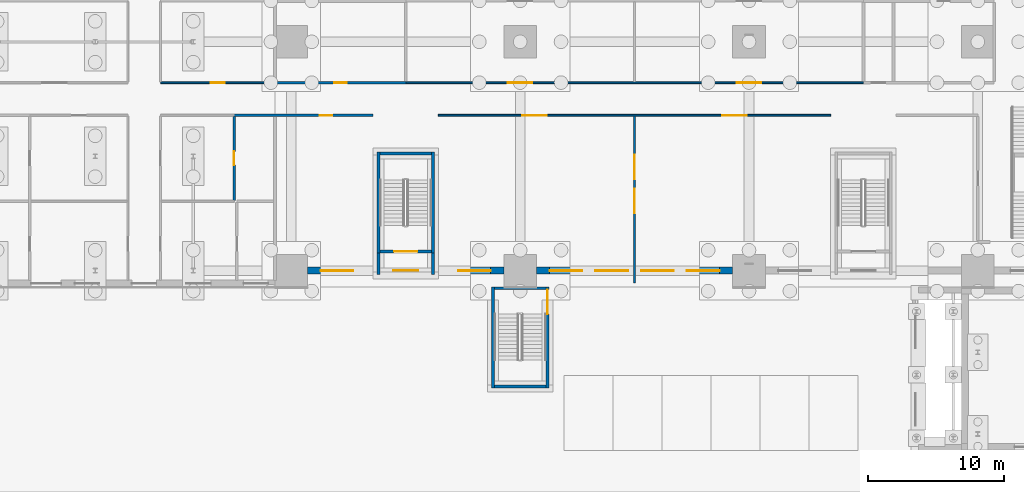
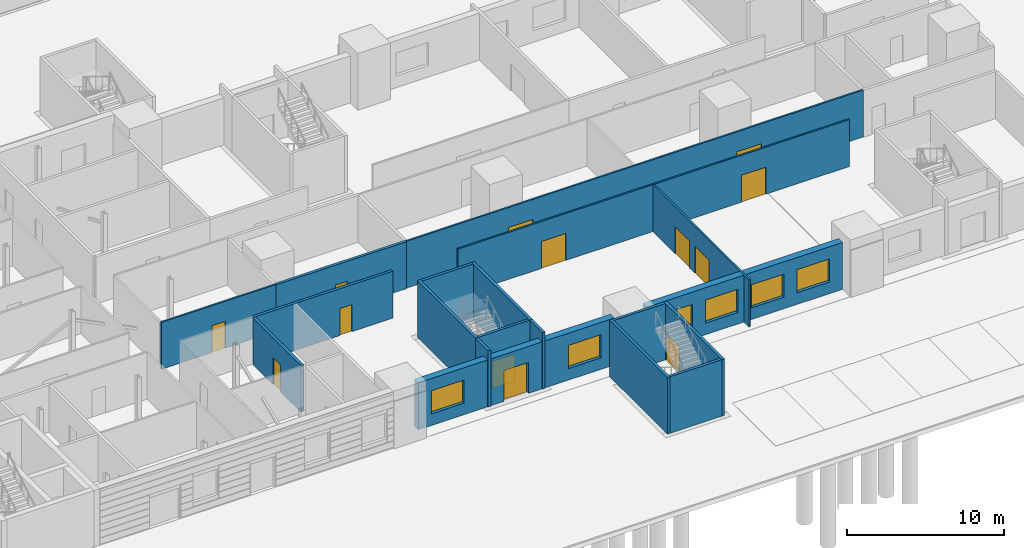
# One storey, part 78 of 139: 19 walls, 13 doors, 6 windows, 19 openings.
"""IFC4 building model written with IfcOpenShell, lengths in metres."""

from ifc_helpers import new_model, si_unit, direction, frame, frame_2d, origin, place, context, subcontext, project, spatial, rectangle, extrude, material, layer, layer_set, type_object, element, fill, save


model = new_model("IFC4")

# Units and contexts
model_context = context("Model", 3, precision=1e-05, world=origin(), true_north=direction((0.0, 1.0)))
body_context = subcontext(model_context, "Body", "Model", "MODEL_VIEW")
ifc_project = project(units=[si_unit("LENGTHUNIT", "METRE"), si_unit("AREAUNIT", "SQUARE_METRE"), si_unit("VOLUMEUNIT", "CUBIC_METRE"), si_unit("PLANEANGLEUNIT", "RADIAN"), si_unit("MASSUNIT", "GRAM", prefix="KILO")], contexts=[model_context])

# Site, building, storey
site_placement = place(None, origin())
site = spatial("IfcSite", under=ifc_project, at=site_placement, CompositionType="ELEMENT")
building_placement = place(site_placement, origin())
building = spatial("IfcBuilding", under=site, at=building_placement, Name="Verrick Yard Athletic Hall", CompositionType="ELEMENT")
storey_placement = place(building_placement, origin())
storey = spatial("IfcBuildingStorey", under=building, at=storey_placement, Name="L00", CompositionType="ELEMENT", Elevation=0.0)

# Walls
ifc_material_1 = material(Name="Concrete 35 MPa", Category="concrete")
ifc_layer_1 = layer(ifc_material_1, 0.199951171875)
ifc_layer_set_1 = layer_set([ifc_layer_1], Name="Enclosure wall CR200")
wall_type_1 = type_object("IfcWallType", Name="Enclosure wall CR200", PredefinedType="SOLIDWALL", material=ifc_layer_set_1)
for number, where, z_axis, x_axis, name in (
    (1, (46.39990234375, 20.5, 0.0), (0.0, 0.0, 1.0), (0.0, 1.0, 0.0), "CORE-PS-S1-WW-L00"),
    (2, (50.39990234375, 20.5, 0.0), (0.0, 0.0, 1.0), (0.0, 1.0, 0.0), "CORE-PS-S1-WE-L00"),
):
    element("IfcWall", number, at=place(storey_placement, frame(where, z_axis=z_axis, x_axis=x_axis)), inside=storey, type_object=wall_type_1, Name=name, PredefinedType="SOLIDWALL", context=body_context, shape_type="SweptSolid", body=[
        extrude(rectangle(XDim=7.39990234375, YDim=0.199951171875, at=frame_2d((3.699951171875, 0.0))), origin(), (0.0, 0.0, 1.0), 4.39990234375),
    ])

# Wall, opening, door
wall_1_placement = place(storey_placement, frame((46.5, 20.60009765625, 0.0), z_axis=(0.0, 0.0, 1.0), x_axis=(1.0, 0.0, 0.0)))
wall_1 = element("IfcWall", 3, at=wall_1_placement, inside=storey, type_object=wall_type_1, Name="CORE-PS-S1-WS-L00", PredefinedType="SOLIDWALL", context=body_context, shape_type="SweptSolid", body=[
    extrude(rectangle(XDim=3.800048828125, YDim=0.199951171875, at=frame_2d((1.89990234375, 0.0))), origin(), (0.0, 0.0, 1.0), 4.39990234375),
])
opening_1_placement = place(wall_1_placement, frame((1.050048828125, 0.0, 0.0)))
opening_1 = element("IfcOpeningElement", 4, at=opening_1_placement, cuts=wall_1, Name="Opening SD2", PredefinedType="OPENING", context=body_context, shape_type="SweptSolid", body=[
    extrude(rectangle(XDim=1.699951171875, YDim=2.10009765625, at=frame_2d((0.85009765625, 1.050048828125))), frame((0.0, 0.10986328125, 0.0), z_axis=(0.0, -1.0, 0.0), x_axis=(1.0, 0.0, 0.0)), (0.0, 0.0, 1.0), 0.219970703125),
])
ifc_material_2 = material(Name="Hollow metal door leaf")
door_type_1 = type_object("IfcDoorType", Name="Core door SD2 1700x2100", OperationType="NOTDEFINED", PredefinedType="DOOR", material=ifc_material_2)
door_1_placement = place(opening_1_placement, origin())
door_1 = element("IfcDoor", 5, at=door_1_placement, inside=storey, type_object=door_type_1, Name="CORE-PS-S1-WS-L00-DSD2-4840", OperationType="DOUBLE_DOOR_SINGLE_SWING", OverallHeight=2.10009765625, OverallWidth=1.699951171875, PredefinedType="DOOR", context=body_context, shape_type="SweptSolid", body=[
    extrude(rectangle(XDim=1.699951171875, YDim=2.10009765625, at=frame_2d((0.85009765625, 1.050048828125))), frame((0.0, 0.02490234375, 0.0), z_axis=(0.0, -1.0, 0.0), x_axis=(1.0, 0.0, 0.0)), (0.0, 0.0, 1.0), 0.050048828125),
])
fill(opening_1, door_1)

# Walls
wall_2_placement = place(storey_placement, frame((46.5, 27.800048828125, 0.0), z_axis=(0.0, 0.0, 1.0), x_axis=(1.0, 0.0, 0.0)))
element("IfcWall", 6, at=wall_2_placement, inside=storey, type_object=wall_type_1, Name="CORE-PS-S1-WN-L00", PredefinedType="SOLIDWALL", context=body_context, shape_type="SweptSolid", body=[
    extrude(rectangle(XDim=3.800048828125, YDim=0.199951171875, at=frame_2d((1.89990234375, 0.0))), origin(), (0.0, 0.0, 1.0), 4.39990234375),
])
for number, where, z_axis, x_axis, name in (
    (7, (46.39990234375, 18.89990234375, 0.0), (0.0, 0.0, 1.0), (0.0, 1.0, 0.0), "CORE-PS-S1-VWW"),
    (8, (50.39990234375, 18.89990234375, 0.0), (0.0, 0.0, 1.0), (0.0, 1.0, 0.0), "CORE-PS-S1-VWE"),
):
    element("IfcWall", number, at=place(storey_placement, frame(where, z_axis=z_axis, x_axis=x_axis)), inside=storey, type_object=wall_type_1, Name=name, PredefinedType="SOLIDWALL", context=body_context, shape_type="SweptSolid", body=[
        extrude(rectangle(XDim=1.60009765625, YDim=0.199951171875, at=frame_2d((0.800048828125, 0.0))), origin(), (0.0, 0.0, 1.0), 4.39990234375),
    ])
ifc_layer_2 = layer(ifc_material_1, 0.199951171875)
ifc_layer_set_2 = layer_set([ifc_layer_2], Name="External enclosure wall CR200")
wall_type_2 = type_object("IfcWallType", Name="External enclosure wall CR200", PredefinedType="SOLIDWALL", material=ifc_layer_set_2)
wall_3_placement = place(storey_placement, frame((54.800048828125, 10.60009765625, 0.0), z_axis=(0.0, 0.0, 1.0), x_axis=(0.0, 1.0, 0.0)))
element("IfcWall", 9, at=wall_3_placement, inside=storey, type_object=wall_type_2, Name="CORE-DT-S1-WW-L00", PredefinedType="SOLIDWALL", context=body_context, shape_type="SweptSolid", body=[
    extrude(rectangle(XDim=7.39990234375, YDim=0.199951171875, at=frame_2d((3.699951171875, 0.0))), origin(), (0.0, 0.0, 1.0), 4.39990234375),
])

# Wall, opening, door
wall_4_placement = place(storey_placement, frame((58.800048828125, 18.0, 0.0), z_axis=(0.0, 0.0, 1.0), x_axis=(0.0, -1.0, 0.0)))
wall_4 = element("IfcWall", 10, at=wall_4_placement, inside=storey, type_object=wall_type_2, Name="CORE-DT-S1-WE-L00", PredefinedType="SOLIDWALL", context=body_context, shape_type="SweptSolid", body=[
    extrude(rectangle(XDim=7.39990234375, YDim=0.199951171875, at=frame_2d((3.699951171875, 0.0))), origin(), (0.0, 0.0, 1.0), 4.39990234375),
])
opening_2_placement = place(wall_4_placement, frame((0.199951171875, 0.0, 0.0)))
opening_2 = element("IfcOpeningElement", 11, at=opening_2_placement, cuts=wall_4, Name="Opening XD2", PredefinedType="OPENING", context=body_context, shape_type="SweptSolid", body=[
    extrude(rectangle(XDim=1.800048828125, YDim=2.10009765625, at=frame_2d((0.89990234375, 1.050048828125))), frame((0.0, 0.10986328125, 0.0), z_axis=(0.0, -1.0, 0.0), x_axis=(1.0, 0.0, 0.0)), (0.0, 0.0, 1.0), 0.219970703125),
])
ifc_material_3 = material(Name="Aluminium door leaf", Category="aluminium")
door_type_2 = type_object("IfcDoorType", Name="Core door XD2 1800x2100", OperationType="NOTDEFINED", PredefinedType="DOOR", material=ifc_material_3)
door_2_placement = place(opening_2_placement, origin())
door_2 = element("IfcDoor", 12, at=door_2_placement, inside=storey, type_object=door_type_2, Name="CORE-DT-S1-WE-L00-DXD2-1690", OperationType="DOUBLE_DOOR_SINGLE_SWING", OverallHeight=2.10009765625, OverallWidth=1.800048828125, PredefinedType="DOOR", context=body_context, shape_type="SweptSolid", body=[
    extrude(rectangle(XDim=1.800048828125, YDim=2.10009765625, at=frame_2d((0.89990234375, 1.050048828125))), frame((0.0, 0.02490234375, 0.0), z_axis=(0.0, -1.0, 0.0), x_axis=(1.0, 0.0, 0.0)), (0.0, 0.0, 1.0), 0.050048828125),
])
fill(opening_2, door_2)

# Walls
for number, where, z_axis, x_axis, name in (
    (13, (54.89990234375, 10.699951171875, 0.0), (0.0, 0.0, 1.0), (1.0, 0.0, 0.0), "CORE-DT-S1-WS-L00"),
    (14, (54.89990234375, 17.89990234375, 0.0), (0.0, 0.0, 1.0), (1.0, 0.0, 0.0), "CORE-DT-S1-WN-L00"),
):
    element("IfcWall", number, at=place(storey_placement, frame(where, z_axis=z_axis, x_axis=x_axis)), inside=storey, type_object=wall_type_2, Name=name, PredefinedType="SOLIDWALL", context=body_context, shape_type="SweptSolid", body=[
        extrude(rectangle(XDim=3.800048828125, YDim=0.199951171875, at=frame_2d((1.89990234375, 0.0))), origin(), (0.0, 0.0, 1.0), 4.39990234375),
    ])

# Wall, opening, door
ifc_material_4 = material(Name="Concrete masonry block 15 MPa", Category="masonry")
ifc_layer_3 = layer(ifc_material_4, 0.199951171875)
ifc_layer_set_3 = layer_set([ifc_layer_3], Name="PW1 Block partition 200")
wall_type_3 = type_object("IfcWallType", Name="PW1 Block partition 200", PredefinedType="PARTITIONING", material=ifc_layer_set_3)
wall_5_placement = place(storey_placement, frame((35.800048828125, 30.60009765625, 0.0), z_axis=(0.0, 0.0, 1.0), x_axis=(1.0, 0.0, 0.0)))
wall_5 = element("IfcWall", 15, at=wall_5_placement, inside=storey, type_object=wall_type_3, Name="Partition PW1", PredefinedType="PARTITIONING", context=body_context, shape_type="SweptSolid", body=[
    extrude(rectangle(XDim=10.199951171875, YDim=0.199951171875, at=frame_2d((5.10009765625, 0.0))), origin(), (0.0, 0.0, 1.0), 3.64990234375),
])
opening_3_placement = place(wall_5_placement, frame((6.300048828125, 0.0, 0.0)))
opening_3 = element("IfcOpeningElement", 16, at=opening_3_placement, cuts=wall_5, Name="Opening D2", PredefinedType="OPENING", context=body_context, shape_type="SweptSolid", body=[
    extrude(rectangle(XDim=0.89990234375, YDim=2.10009765625, at=frame_2d((0.449951171875, 1.050048828125))), frame((0.0, 0.10986328125, 0.0), z_axis=(0.0, -1.0, 0.0), x_axis=(1.0, 0.0, 0.0)), (0.0, 0.0, 1.0), 0.219970703125),
])
ifc_material_5 = material(Name="Timber door leaf in steel frame", Category="steel")
door_type_3 = type_object("IfcDoorType", Name="D2 Single door 900 x 2100", OperationType="NOTDEFINED", PredefinedType="DOOR", material=ifc_material_5)
door_3_placement = place(opening_3_placement, origin())
door_3 = element("IfcDoor", 17, at=door_3_placement, inside=storey, type_object=door_type_3, Name="D2 Bicycle Store", OperationType="SINGLE_SWING_LEFT", OverallHeight=2.10009765625, OverallWidth=0.89990234375, PredefinedType="DOOR", context=body_context, shape_type="SweptSolid", body=[
    extrude(rectangle(XDim=0.89990234375, YDim=2.10009765625, at=frame_2d((0.449951171875, 1.050048828125))), frame((0.0, 0.02490234375, 0.0), z_axis=(0.0, -1.0, 0.0), x_axis=(1.0, 0.0, 0.0)), (0.0, 0.0, 1.0), 0.050048828125),
])
fill(opening_3, door_3)

wall_6_placement = place(storey_placement, frame((38.800048828125, 33.0, 0.0), z_axis=(0.0, 0.0, 1.0), x_axis=(1.0, 0.0, 0.0)))
wall_6 = element("IfcWall", 18, at=wall_6_placement, inside=storey, type_object=wall_type_3, Name="Partition PW1", PredefinedType="PARTITIONING", context=body_context, shape_type="SweptSolid", body=[
    extrude(rectangle(XDim=9.599853515625, YDim=0.199951171875, at=frame_2d((4.7998046875, 0.0))), origin(), (0.0, 0.0, 1.0), 3.64990234375),
])
opening_4_placement = place(wall_6_placement, frame((4.35009765625, 0.0, 0.0)))
opening_4 = element("IfcOpeningElement", 19, at=opening_4_placement, cuts=wall_6, Name="Opening D2", PredefinedType="OPENING", context=body_context, shape_type="SweptSolid", body=[
    extrude(rectangle(XDim=0.89990234375, YDim=2.10009765625, at=frame_2d((0.449951171875, 1.050048828125))), frame((0.0, 0.10986328125, 0.0), z_axis=(0.0, -1.0, 0.0), x_axis=(1.0, 0.0, 0.0)), (0.0, 0.0, 1.0), 0.219970703125),
])
door_4_placement = place(opening_4_placement, origin())
door_4 = element("IfcDoor", 20, at=door_4_placement, inside=storey, type_object=door_type_3, Name="D2 Equipment Store", OperationType="SINGLE_SWING_LEFT", OverallHeight=2.10009765625, OverallWidth=0.89990234375, PredefinedType="DOOR", context=body_context, shape_type="SweptSolid", body=[
    extrude(rectangle(XDim=0.89990234375, YDim=2.10009765625, at=frame_2d((0.449951171875, 1.050048828125))), frame((0.0, 0.02490234375, 0.0), z_axis=(0.0, -1.0, 0.0), x_axis=(1.0, 0.0, 0.0)), (0.0, 0.0, 1.0), 0.050048828125),
])
fill(opening_4, door_4)

wall_7_placement = place(storey_placement, frame((35.800048828125, 24.362548828125, 0.0), z_axis=(0.0, 0.0, 1.0), x_axis=(0.0, 1.0, 0.0)))
wall_7 = element("IfcWall", 21, at=wall_7_placement, inside=storey, type_object=wall_type_3, Name="Partition PW1", PredefinedType="PARTITIONING", context=body_context, shape_type="SweptSolid", body=[
    extrude(rectangle(XDim=6.137451171875, YDim=0.199951171875, at=frame_2d((3.06884765625, 0.0))), origin(), (0.0, 0.0, 1.0), 3.64990234375),
])
opening_5_placement = place(wall_7_placement, frame((2.587890625, 0.0, 0.0)))
opening_5 = element("IfcOpeningElement", 22, at=opening_5_placement, cuts=wall_7, Name="Opening D1", PredefinedType="OPENING", context=body_context, shape_type="SweptSolid", body=[
    extrude(rectangle(XDim=1.0, YDim=2.10009765625, at=frame_2d((0.5, 1.050048828125))), frame((0.0, 0.10986328125, 0.0), z_axis=(0.0, -1.0, 0.0), x_axis=(1.0, 0.0, 0.0)), (0.0, 0.0, 1.0), 0.219970703125),
])
door_type_4 = type_object("IfcDoorType", Name="D1 Single door 1000 x 2100", OperationType="NOTDEFINED", PredefinedType="DOOR", material=ifc_material_5)
door_5_placement = place(opening_5_placement, origin())
door_5 = element("IfcDoor", 23, at=door_5_placement, inside=storey, type_object=door_type_4, Name="D1 Accessible Shower Room", OperationType="SINGLE_SWING_RIGHT", OverallHeight=2.10009765625, OverallWidth=1.0, PredefinedType="DOOR", context=body_context, shape_type="SweptSolid", body=[
    extrude(rectangle(XDim=1.0, YDim=2.10009765625, at=frame_2d((0.5, 1.050048828125))), frame((0.0, 0.02490234375, 0.0), z_axis=(0.0, -1.0, 0.0), x_axis=(1.0, 0.0, 0.0)), (0.0, 0.0, 1.0), 0.050048828125),
])
fill(opening_5, door_5)

# Wall, openings, doors
ifc_material_6 = material(Name="Gypsum plasterboard on light-gauge studs")
ifc_layer_4 = layer(ifc_material_6, 0.125)
ifc_layer_set_4 = layer_set([ifc_layer_4], Name="PW2 Stud partition 125")
wall_type_4 = type_object("IfcWallType", Name="PW2 Stud partition 125", PredefinedType="PARTITIONING", material=ifc_layer_set_4)
wall_8_placement = place(storey_placement, frame((50.800048828125, 30.60009765625, 0.0), z_axis=(0.0, 0.0, 1.0), x_axis=(1.0, 0.0, 0.0)))
wall_8 = element("IfcWall", 24, at=wall_8_placement, inside=storey, type_object=wall_type_4, Name="Partition PW2", PredefinedType="PARTITIONING", context=body_context, shape_type="SweptSolid", body=[
    extrude(rectangle(XDim=28.800048828125, YDim=0.125, at=frame_2d((14.39990234375, 0.0))), origin(), (0.0, 0.0, 1.0), 3.64990234375),
])
opening_6_placement = place(wall_8_placement, frame((6.14990234375, 0.0, 0.0)))
opening_6 = element("IfcOpeningElement", 25, at=opening_6_placement, cuts=wall_8, Name="Opening D3", PredefinedType="OPENING", context=body_context, shape_type="SweptSolid", body=[
    extrude(rectangle(XDim=1.800048828125, YDim=2.10009765625, at=frame_2d((0.89990234375, 1.050048828125))), frame((0.0, 0.072509765625, 0.0), z_axis=(0.0, -1.0, 0.0), x_axis=(1.0, 0.0, 0.0)), (0.0, 0.0, 1.0), 0.14501953125),
])
opening_7_placement = place(wall_8_placement, frame((20.85009765625, 0.0, 0.0)))
opening_7 = element("IfcOpeningElement", 26, at=opening_7_placement, cuts=wall_8, Name="Opening D3", PredefinedType="OPENING", context=body_context, shape_type="SweptSolid", body=[
    extrude(rectangle(XDim=1.800048828125, YDim=2.10009765625, at=frame_2d((0.89990234375, 1.050048828125))), frame((0.0, 0.072509765625, 0.0), z_axis=(0.0, -1.0, 0.0), x_axis=(1.0, 0.0, 0.0)), (0.0, 0.0, 1.0), 0.14501953125),
])
door_type_5 = type_object("IfcDoorType", Name="D3 Double door 1800 x 2100", OperationType="NOTDEFINED", PredefinedType="DOOR", material=ifc_material_5)
door_6_placement = place(opening_6_placement, origin())
door_6 = element("IfcDoor", 27, at=door_6_placement, inside=storey, type_object=door_type_5, Name="D3 Community Room 1", OperationType="DOUBLE_DOOR_SINGLE_SWING", OverallHeight=2.10009765625, OverallWidth=1.800048828125, PredefinedType="DOOR", context=body_context, shape_type="SweptSolid", body=[
    extrude(rectangle(XDim=1.800048828125, YDim=2.10009765625, at=frame_2d((0.89990234375, 1.050048828125))), frame((0.0, 0.02490234375, 0.0), z_axis=(0.0, -1.0, 0.0), x_axis=(1.0, 0.0, 0.0)), (0.0, 0.0, 1.0), 0.050048828125),
])
fill(opening_6, door_6)
door_7_placement = place(opening_7_placement, origin())
door_7 = element("IfcDoor", 28, at=door_7_placement, inside=storey, type_object=door_type_5, Name="D3 Community Room 2", OperationType="DOUBLE_DOOR_SINGLE_SWING", OverallHeight=2.10009765625, OverallWidth=1.800048828125, PredefinedType="DOOR", context=body_context, shape_type="SweptSolid", body=[
    extrude(rectangle(XDim=1.800048828125, YDim=2.10009765625, at=frame_2d((0.89990234375, 1.050048828125))), frame((0.0, 0.02490234375, 0.0), z_axis=(0.0, -1.0, 0.0), x_axis=(1.0, 0.0, 0.0)), (0.0, 0.0, 1.0), 0.050048828125),
])
fill(opening_7, door_7)

# Wall, opening, door
wall_9_placement = place(storey_placement, frame((30.39990234375, 33.0, 0.0), z_axis=(0.0, 0.0, 1.0), x_axis=(1.0, 0.0, 0.0)))
wall_9 = element("IfcWall", 29, at=wall_9_placement, inside=storey, type_object=wall_type_4, Name="Partition PW2", PredefinedType="PARTITIONING", context=body_context, shape_type="SweptSolid", body=[
    extrude(rectangle(XDim=8.400146484375, YDim=0.125, at=frame_2d((4.2001953125, 0.0))), origin(), (0.0, 0.0, 1.0), 3.64990234375),
])
opening_8_placement = place(wall_9_placement, frame((3.699951171875, 0.0, 0.0)))
opening_8 = element("IfcOpeningElement", 30, at=opening_8_placement, cuts=wall_9, Name="Opening D1", PredefinedType="OPENING", context=body_context, shape_type="SweptSolid", body=[
    extrude(rectangle(XDim=1.0, YDim=2.10009765625, at=frame_2d((0.5, 1.050048828125))), frame((0.0, 0.072509765625, 0.0), z_axis=(0.0, -1.0, 0.0), x_axis=(1.0, 0.0, 0.0)), (0.0, 0.0, 1.0), 0.14501953125),
])
door_8_placement = place(opening_8_placement, origin())
door_8 = element("IfcDoor", 31, at=door_8_placement, inside=storey, type_object=door_type_4, Name="D1 Officials Changing Room 2", OperationType="SINGLE_SWING_LEFT", OverallHeight=2.10009765625, OverallWidth=1.0, PredefinedType="DOOR", context=body_context, shape_type="SweptSolid", body=[
    extrude(rectangle(XDim=1.0, YDim=2.10009765625, at=frame_2d((0.5, 1.050048828125))), frame((0.0, 0.02490234375, 0.0), z_axis=(0.0, -1.0, 0.0), x_axis=(1.0, 0.0, 0.0)), (0.0, 0.0, 1.0), 0.050048828125),
])
fill(opening_8, door_8)

# Wall, openings, doors
wall_10_placement = place(storey_placement, frame((48.39990234375, 33.0, 0.0), z_axis=(0.0, 0.0, 1.0), x_axis=(1.0, 0.0, 0.0)))
wall_10 = element("IfcWall", 32, at=wall_10_placement, inside=storey, type_object=wall_type_4, Name="Partition PW2", PredefinedType="PARTITIONING", context=body_context, shape_type="SweptSolid", body=[
    extrude(rectangle(XDim=33.60009765625, YDim=0.125, at=frame_2d((16.800048828125, 0.0))), origin(), (0.0, 0.0, 1.0), 3.64990234375),
])
opening_9_placement = place(wall_10_placement, frame((7.5, 0.0, 0.0)))
opening_9 = element("IfcOpeningElement", 33, at=opening_9_placement, cuts=wall_10, Name="Opening D3", PredefinedType="OPENING", context=body_context, shape_type="SweptSolid", body=[
    extrude(rectangle(XDim=1.800048828125, YDim=2.10009765625, at=frame_2d((0.89990234375, 1.050048828125))), frame((0.0, 0.072509765625, 0.0), z_axis=(0.0, -1.0, 0.0), x_axis=(1.0, 0.0, 0.0)), (0.0, 0.0, 1.0), 0.14501953125),
])
opening_10_placement = place(wall_10_placement, frame((24.300048828125, 0.0, 0.0)))
opening_10 = element("IfcOpeningElement", 34, at=opening_10_placement, cuts=wall_10, Name="Opening D3", PredefinedType="OPENING", context=body_context, shape_type="SweptSolid", body=[
    extrude(rectangle(XDim=1.800048828125, YDim=2.10009765625, at=frame_2d((0.89990234375, 1.050048828125))), frame((0.0, 0.072509765625, 0.0), z_axis=(0.0, -1.0, 0.0), x_axis=(1.0, 0.0, 0.0)), (0.0, 0.0, 1.0), 0.14501953125),
])
door_9_placement = place(opening_9_placement, origin())
door_9 = element("IfcDoor", 35, at=door_9_placement, inside=storey, type_object=door_type_5, Name="D3 Club Administration", OperationType="DOUBLE_DOOR_SINGLE_SWING", OverallHeight=2.10009765625, OverallWidth=1.800048828125, PredefinedType="DOOR", context=body_context, shape_type="SweptSolid", body=[
    extrude(rectangle(XDim=1.800048828125, YDim=2.10009765625, at=frame_2d((0.89990234375, 1.050048828125))), frame((0.0, 0.02490234375, 0.0), z_axis=(0.0, -1.0, 0.0), x_axis=(1.0, 0.0, 0.0)), (0.0, 0.0, 1.0), 0.050048828125),
])
fill(opening_9, door_9)
door_10_placement = place(opening_10_placement, origin())
door_10 = element("IfcDoor", 36, at=door_10_placement, inside=storey, type_object=door_type_5, Name="D3 Community Meeting Room", OperationType="DOUBLE_DOOR_SINGLE_SWING", OverallHeight=2.10009765625, OverallWidth=1.800048828125, PredefinedType="DOOR", context=body_context, shape_type="SweptSolid", body=[
    extrude(rectangle(XDim=1.800048828125, YDim=2.10009765625, at=frame_2d((0.89990234375, 1.050048828125))), frame((0.0, 0.02490234375, 0.0), z_axis=(0.0, -1.0, 0.0), x_axis=(1.0, 0.0, 0.0)), (0.0, 0.0, 1.0), 0.050048828125),
])
fill(opening_10, door_10)

wall_11_placement = place(storey_placement, frame((65.199951171875, 18.300048828125, 0.0), z_axis=(0.0, 0.0, 1.0), x_axis=(0.0, 1.0, 0.0)))
wall_11 = element("IfcWall", 37, at=wall_11_placement, inside=storey, type_object=wall_type_4, Name="Partition PW2", PredefinedType="PARTITIONING", context=body_context, shape_type="SweptSolid", body=[
    extrude(rectangle(XDim=12.237548828125, YDim=0.125, at=frame_2d((6.11865234375, 0.0))), origin(), (0.0, 0.0, 1.0), 3.64990234375),
])
opening_11_placement = place(wall_11_placement, frame((5.10009765625, 0.0, 0.0)))
opening_11 = element("IfcOpeningElement", 38, at=opening_11_placement, cuts=wall_11, Name="Opening D3", PredefinedType="OPENING", context=body_context, shape_type="SweptSolid", body=[
    extrude(rectangle(XDim=1.800048828125, YDim=2.10009765625, at=frame_2d((0.89990234375, 1.050048828125))), frame((0.0, 0.072509765625, 0.0), z_axis=(0.0, -1.0, 0.0), x_axis=(1.0, 0.0, 0.0)), (0.0, 0.0, 1.0), 0.14501953125),
])
opening_12_placement = place(wall_11_placement, frame((7.60009765625, 0.0, 0.0)))
opening_12 = element("IfcOpeningElement", 39, at=opening_12_placement, cuts=wall_11, Name="Opening D3", PredefinedType="OPENING", context=body_context, shape_type="SweptSolid", body=[
    extrude(rectangle(XDim=1.800048828125, YDim=2.10009765625, at=frame_2d((0.89990234375, 1.050048828125))), frame((0.0, 0.072509765625, 0.0), z_axis=(0.0, -1.0, 0.0), x_axis=(1.0, 0.0, 0.0)), (0.0, 0.0, 1.0), 0.14501953125),
])
door_11_placement = place(opening_11_placement, origin())
door_11 = element("IfcDoor", 40, at=door_11_placement, inside=storey, type_object=door_type_5, Name="D3 Community Room 1", OperationType="DOUBLE_DOOR_SINGLE_SWING", OverallHeight=2.10009765625, OverallWidth=1.800048828125, PredefinedType="DOOR", context=body_context, shape_type="SweptSolid", body=[
    extrude(rectangle(XDim=1.800048828125, YDim=2.10009765625, at=frame_2d((0.89990234375, 1.050048828125))), frame((0.0, 0.02490234375, 0.0), z_axis=(0.0, -1.0, 0.0), x_axis=(1.0, 0.0, 0.0)), (0.0, 0.0, 1.0), 0.050048828125),
])
fill(opening_11, door_11)
door_12_placement = place(opening_12_placement, origin())
door_12 = element("IfcDoor", 41, at=door_12_placement, inside=storey, type_object=door_type_5, Name="D3 Community Room 2", OperationType="DOUBLE_DOOR_SINGLE_SWING", OverallHeight=2.10009765625, OverallWidth=1.800048828125, PredefinedType="DOOR", context=body_context, shape_type="SweptSolid", body=[
    extrude(rectangle(XDim=1.800048828125, YDim=2.10009765625, at=frame_2d((0.89990234375, 1.050048828125))), frame((0.0, 0.02490234375, 0.0), z_axis=(0.0, -1.0, 0.0), x_axis=(1.0, 0.0, 0.0)), (0.0, 0.0, 1.0), 0.050048828125),
])
fill(opening_12, door_12)

# Wall, openings, door, windows
ifc_material_7 = material(Name="Rusticated limestone cladding", Category="masonry")
ifc_layer_5 = layer(ifc_material_7, 0.10009765625, Name="Rusticated limestone cladding")
ifc_material_8 = material(Name="Mineral wool insulation")
ifc_layer_6 = layer(ifc_material_8, 0.10009765625, Name="Mineral wool insulation")
ifc_layer_7 = layer(ifc_material_1, 0.300048828125, Name="Concrete 35 MPa")
ifc_layer_set_5 = layer_set([ifc_layer_5, ifc_layer_6, ifc_layer_7], Name="Rusticated base wall 500")
wall_type_5 = type_object("IfcWallType", Name="Rusticated base wall 500", PredefinedType="SOLIDWALL", material=ifc_layer_set_5)
wall_12_placement = place(storey_placement, frame((41.199951171875, 19.199951171875, 0.0), z_axis=(0.0, 0.0, 1.0), x_axis=(1.0, 0.0, 0.0)))
wall_12 = element("IfcWall", 42, at=wall_12_placement, inside=storey, type_object=wall_type_5, Name="Base wall S1", PredefinedType="SOLIDWALL", context=body_context, shape_type="SweptSolid", body=[
    extrude(rectangle(XDim=14.400146484375, YDim=0.5, at=frame_2d((7.2001953125, 0.0))), origin(), (0.0, 0.0, 1.0), 3.64990234375),
])
opening_13_placement = place(wall_12_placement, frame((0.9599609375, 0.0, 0.89990234375)))
opening_13 = element("IfcOpeningElement", 43, at=opening_13_placement, cuts=wall_12, Name="Opening W1", PredefinedType="OPENING", context=body_context, shape_type="SweptSolid", body=[
    extrude(rectangle(XDim=2.39990234375, YDim=1.800048828125, at=frame_2d((1.199951171875, 0.89990234375))), frame((0.0, 0.260009765625, 0.0), z_axis=(0.0, -1.0, 0.0), x_axis=(1.0, 0.0, 0.0)), (0.0, 0.0, 1.0), 0.52001953125),
])
opening_14_placement = place(wall_12_placement, frame((11.0400390625, 0.0, 0.89990234375)))
opening_14 = element("IfcOpeningElement", 44, at=opening_14_placement, cuts=wall_12, Name="Opening W1", PredefinedType="OPENING", context=body_context, shape_type="SweptSolid", body=[
    extrude(rectangle(XDim=2.39990234375, YDim=1.800048828125, at=frame_2d((1.199951171875, 0.89990234375))), frame((0.0, 0.260009765625, 0.0), z_axis=(0.0, -1.0, 0.0), x_axis=(1.0, 0.0, 0.0)), (0.0, 0.0, 1.0), 0.52001953125),
])
opening_15_placement = place(wall_12_placement, frame((6.300048828125, 0.0, 0.0)))
opening_15 = element("IfcOpeningElement", 45, at=opening_15_placement, cuts=wall_12, Name="Opening ED5", PredefinedType="OPENING", context=body_context, shape_type="SweptSolid", body=[
    extrude(rectangle(XDim=1.800048828125, YDim=2.39990234375, at=frame_2d((0.89990234375, 1.199951171875))), frame((0.0, 0.260009765625, 0.0), z_axis=(0.0, -1.0, 0.0), x_axis=(1.0, 0.0, 0.0)), (0.0, 0.0, 1.0), 0.52001953125),
])
ifc_material_9 = material(Name="Insulated steel door", Category="steel")
door_type_6 = type_object("IfcDoorType", Name="Exit door pair 1800 x 2400", OperationType="NOTDEFINED", PredefinedType="DOOR", material=ifc_material_9)
door_13_placement = place(opening_15_placement, origin())
door_13 = element("IfcDoor", 46, at=door_13_placement, inside=storey, type_object=door_type_6, Name="Exterior door E11", OperationType="DOUBLE_DOOR_SINGLE_SWING", OverallHeight=2.39990234375, OverallWidth=1.800048828125, PredefinedType="DOOR", context=body_context, shape_type="SweptSolid", body=[
    extrude(rectangle(XDim=1.800048828125, YDim=2.39990234375, at=frame_2d((0.89990234375, 1.199951171875))), frame((0.0, 0.02490234375, 0.0), z_axis=(0.0, -1.0, 0.0), x_axis=(1.0, 0.0, 0.0)), (0.0, 0.0, 1.0), 0.050048828125),
])
fill(opening_15, door_13)
ifc_material_10 = material(Name="Aluminium frame with double glazing", Category="aluminium")
window_type = type_object("IfcWindowType", Name="Window 2400 x 1800", PartitioningType="NOTDEFINED", PredefinedType="WINDOW", material=ifc_material_10)
window_1_placement = place(opening_13_placement, origin())
window_1 = element("IfcWindow", 47, at=window_1_placement, inside=storey, type_object=window_type, Name="Window S1.1", OverallHeight=1.800048828125, OverallWidth=2.39990234375, PartitioningType="SINGLE_PANEL", PredefinedType="WINDOW", context=body_context, shape_type="SweptSolid", body=[
    extrude(rectangle(XDim=2.39990234375, YDim=1.800048828125, at=frame_2d((1.199951171875, 0.89990234375))), frame((0.0, 0.030029296875, 0.0), z_axis=(0.0, -1.0, 0.0), x_axis=(1.0, 0.0, 0.0)), (0.0, 0.0, 1.0), 0.06005859375),
])
fill(opening_13, window_1)
window_2_placement = place(opening_14_placement, origin())
window_2 = element("IfcWindow", 48, at=window_2_placement, inside=storey, type_object=window_type, Name="Window S1.2", OverallHeight=1.800048828125, OverallWidth=2.39990234375, PartitioningType="SINGLE_PANEL", PredefinedType="WINDOW", context=body_context, shape_type="SweptSolid", body=[
    extrude(rectangle(XDim=2.39990234375, YDim=1.800048828125, at=frame_2d((1.199951171875, 0.89990234375))), frame((0.0, 0.030029296875, 0.0), z_axis=(0.0, -1.0, 0.0), x_axis=(1.0, 0.0, 0.0)), (0.0, 0.0, 1.0), 0.06005859375),
])
fill(opening_14, window_2)

# Wall, openings, windows
wall_13_placement = place(storey_placement, frame((58.0, 19.199951171875, 0.0), z_axis=(0.0, 0.0, 1.0), x_axis=(1.0, 0.0, 0.0)))
wall_13 = element("IfcWall", 49, at=wall_13_placement, inside=storey, type_object=wall_type_5, Name="Base wall S2", PredefinedType="SOLIDWALL", context=body_context, shape_type="SweptSolid", body=[
    extrude(rectangle(XDim=14.39990234375, YDim=0.5, at=frame_2d((7.199951171875, 0.0))), origin(), (0.0, 0.0, 1.0), 3.64990234375),
])
opening_16_placement = place(wall_13_placement, frame((0.9599609375, 0.0, 0.89990234375)))
opening_16 = element("IfcOpeningElement", 50, at=opening_16_placement, cuts=wall_13, Name="Opening W1", PredefinedType="OPENING", context=body_context, shape_type="SweptSolid", body=[
    extrude(rectangle(XDim=2.39990234375, YDim=1.800048828125, at=frame_2d((1.199951171875, 0.89990234375))), frame((0.0, 0.260009765625, 0.0), z_axis=(0.0, -1.0, 0.0), x_axis=(1.0, 0.0, 0.0)), (0.0, 0.0, 1.0), 0.52001953125),
])
opening_17_placement = place(wall_13_placement, frame((4.320068359375, 0.0, 0.89990234375)))
opening_17 = element("IfcOpeningElement", 51, at=opening_17_placement, cuts=wall_13, Name="Opening W1", PredefinedType="OPENING", context=body_context, shape_type="SweptSolid", body=[
    extrude(rectangle(XDim=2.39990234375, YDim=1.800048828125, at=frame_2d((1.199951171875, 0.89990234375))), frame((0.0, 0.260009765625, 0.0), z_axis=(0.0, -1.0, 0.0), x_axis=(1.0, 0.0, 0.0)), (0.0, 0.0, 1.0), 0.52001953125),
])
opening_18_placement = place(wall_13_placement, frame((7.679931640625, 0.0, 0.89990234375)))
opening_18 = element("IfcOpeningElement", 52, at=opening_18_placement, cuts=wall_13, Name="Opening W1", PredefinedType="OPENING", context=body_context, shape_type="SweptSolid", body=[
    extrude(rectangle(XDim=2.39990234375, YDim=1.800048828125, at=frame_2d((1.199951171875, 0.89990234375))), frame((0.0, 0.260009765625, 0.0), z_axis=(0.0, -1.0, 0.0), x_axis=(1.0, 0.0, 0.0)), (0.0, 0.0, 1.0), 0.52001953125),
])
opening_19_placement = place(wall_13_placement, frame((11.0400390625, 0.0, 0.89990234375)))
opening_19 = element("IfcOpeningElement", 53, at=opening_19_placement, cuts=wall_13, Name="Opening W1", PredefinedType="OPENING", context=body_context, shape_type="SweptSolid", body=[
    extrude(rectangle(XDim=2.39990234375, YDim=1.800048828125, at=frame_2d((1.199951171875, 0.89990234375))), frame((0.0, 0.260009765625, 0.0), z_axis=(0.0, -1.0, 0.0), x_axis=(1.0, 0.0, 0.0)), (0.0, 0.0, 1.0), 0.52001953125),
])
window_3_placement = place(opening_16_placement, origin())
window_3 = element("IfcWindow", 54, at=window_3_placement, inside=storey, type_object=window_type, Name="Window S2.1", OverallHeight=1.800048828125, OverallWidth=2.39990234375, PartitioningType="SINGLE_PANEL", PredefinedType="WINDOW", context=body_context, shape_type="SweptSolid", body=[
    extrude(rectangle(XDim=2.39990234375, YDim=1.800048828125, at=frame_2d((1.199951171875, 0.89990234375))), frame((0.0, 0.030029296875, 0.0), z_axis=(0.0, -1.0, 0.0), x_axis=(1.0, 0.0, 0.0)), (0.0, 0.0, 1.0), 0.06005859375),
])
fill(opening_16, window_3)
window_4_placement = place(opening_17_placement, origin())
window_4 = element("IfcWindow", 55, at=window_4_placement, inside=storey, type_object=window_type, Name="Window S2.2", OverallHeight=1.800048828125, OverallWidth=2.39990234375, PartitioningType="SINGLE_PANEL", PredefinedType="WINDOW", context=body_context, shape_type="SweptSolid", body=[
    extrude(rectangle(XDim=2.39990234375, YDim=1.800048828125, at=frame_2d((1.199951171875, 0.89990234375))), frame((0.0, 0.030029296875, 0.0), z_axis=(0.0, -1.0, 0.0), x_axis=(1.0, 0.0, 0.0)), (0.0, 0.0, 1.0), 0.06005859375),
])
fill(opening_17, window_4)
window_5_placement = place(opening_18_placement, origin())
window_5 = element("IfcWindow", 56, at=window_5_placement, inside=storey, type_object=window_type, Name="Window S2.3", OverallHeight=1.800048828125, OverallWidth=2.39990234375, PartitioningType="SINGLE_PANEL", PredefinedType="WINDOW", context=body_context, shape_type="SweptSolid", body=[
    extrude(rectangle(XDim=2.39990234375, YDim=1.800048828125, at=frame_2d((1.199951171875, 0.89990234375))), frame((0.0, 0.030029296875, 0.0), z_axis=(0.0, -1.0, 0.0), x_axis=(1.0, 0.0, 0.0)), (0.0, 0.0, 1.0), 0.06005859375),
])
fill(opening_18, window_5)
window_6_placement = place(opening_19_placement, origin())
window_6 = element("IfcWindow", 57, at=window_6_placement, inside=storey, type_object=window_type, Name="Window S2.4", OverallHeight=1.800048828125, OverallWidth=2.39990234375, PartitioningType="SINGLE_PANEL", PredefinedType="WINDOW", context=body_context, shape_type="SweptSolid", body=[
    extrude(rectangle(XDim=2.39990234375, YDim=1.800048828125, at=frame_2d((1.199951171875, 0.89990234375))), frame((0.0, 0.030029296875, 0.0), z_axis=(0.0, -1.0, 0.0), x_axis=(1.0, 0.0, 0.0)), (0.0, 0.0, 1.0), 0.06005859375),
])
fill(opening_19, window_6)

save(model, "model.ifc")
